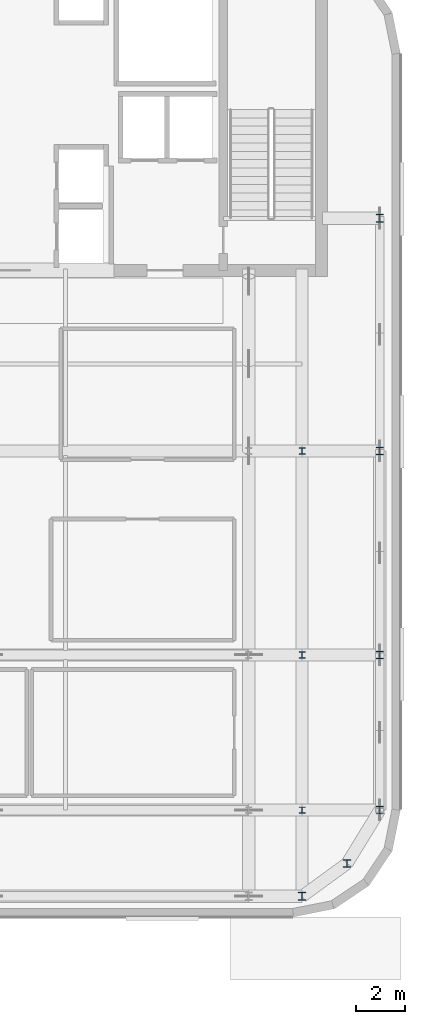
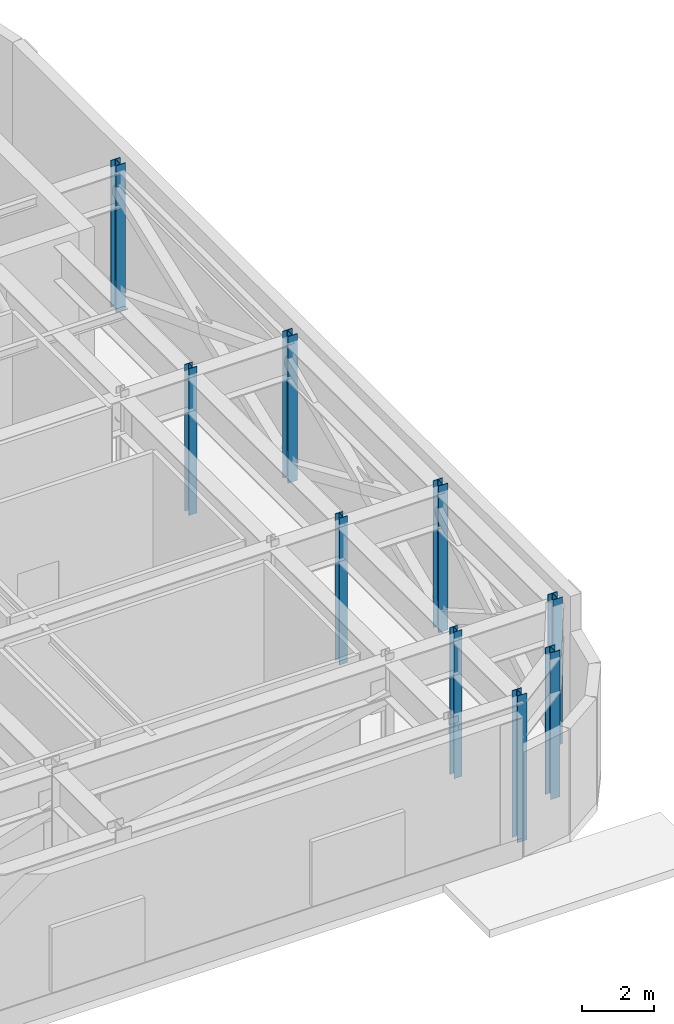
# One storey, part 3 of 13: 9 columns.
"""IFC4 building model written with IfcOpenShell, lengths in metres."""

from ifc_helpers import new_model, si_unit, direction, frame, origin, origin_2d, place, context, subcontext, project, spatial, i_section, extrude, source, transform, mapped, material, material_profile, profile_set, type_object, type_shapes, element, save


model = new_model("IFC4")

# Units and contexts
model_context = context("Model", 3, precision=1e-05, world=origin(), true_north=direction((0.0, 1.0)))
body_context = subcontext(model_context, "Body", "Model", "MODEL_VIEW")
ifc_project = project(units=[si_unit("LENGTHUNIT", "METRE"), si_unit("AREAUNIT", "SQUARE_METRE"), si_unit("VOLUMEUNIT", "CUBIC_METRE"), si_unit("PLANEANGLEUNIT", "RADIAN"), si_unit("MASSUNIT", "GRAM", prefix="KILO")], contexts=[model_context])

# Site, building, storey
site_placement = place(None, origin())
site = spatial("IfcSite", under=ifc_project, at=site_placement, CompositionType="ELEMENT")
building_placement = place(site_placement, origin())
building = spatial("IfcBuilding", under=site, at=building_placement, Name="Tolvann Quenvar Hotel", CompositionType="ELEMENT")
storey_placement = place(building_placement, frame((0.0, 0.0, 270.050048828125)))
storey = spatial("IfcBuildingStorey", under=building, at=storey_placement, Name="L72", CompositionType="ELEMENT", Elevation=270.050048828125)

# Columns
ifc_material = material(Name="Steel Grade 350", Category="steel")
ifc_material_profile_1 = material_profile(ifc_material, i_section(OverallWidth=0.306884765625, OverallDepth=0.31494140625, WebThickness=0.011962890625, FlangeThickness=0.018798828125, FilletRadius=0.0166015625, at=origin_2d()), Name="310UC118")
ifc_profile_set_1 = profile_set([ifc_material_profile_1], Name="Steel Grade 350")
column_type_1 = type_object("IfcColumnType", Name="COL_310UC118", PredefinedType="COLUMN", material=ifc_profile_set_1)
shared_shape_1 = source(origin(), body_context, "Body", "SweptSolid", [
    extrude(i_section(OverallWidth=0.306884765625, OverallDepth=0.31494140625, WebThickness=0.011962890625, FlangeThickness=0.018798828125, FilletRadius=0.0166015625, at=origin_2d()), origin(), (0.0, 0.0, 1.0), 5.0),
])
type_shapes(column_type_1, [shared_shape_1])
for number, where, z_axis, x_axis, name in (
    (1, (34.949951171875, 6.050048828125, 0.0), (0.0, 0.0, 1.0), (1.0, 0.0, 0.0), "Column F2 (L72)"),
    (2, (36.800048828125, 7.39990234375, 0.0), (0.0, 0.0, 1.0), (1.0, 0.0, 0.0), "Column G2 (L72)"),
    (3, (38.14990234375, 9.60009765625, 0.0), (0.0, 0.0, 1.0), (1.0, 0.0, 0.0), "Column G3 (L72)"),
    (4, (38.14990234375, 16.0, 0.0), (0.0, 0.0, 1.0), (1.0, 0.0, 0.0), "Column G4 (L72)"),
    (5, (38.14990234375, 24.39990234375, 0.0), (0.0, 0.0, 1.0), (1.0, 0.0, 0.0), "Column G5 (L72)"),
    (6, (38.14990234375, 34.0, 0.0), (0.0, 0.0, 1.0), (1.0, 0.0, 0.0), "Column GD6 (L72)"),
):
    element("IfcColumn", number, at=place(storey_placement, frame(where, z_axis=z_axis, x_axis=x_axis)), inside=storey, type_object=column_type_1, Name=name, PredefinedType="COLUMN", context=body_context, shape_type="MappedRepresentation", body=[
        mapped(shared_shape_1, transform((0.0, 0.0, 0.0), x_axis=(1.0, 0.0, 0.0), y_axis=(0.0, 1.0, 0.0), z_axis=(0.0, 0.0, 1.0), scale=1.0)),
    ])
ifc_material_profile_2 = material_profile(ifc_material, i_section(OverallWidth=0.256103515625, OverallDepth=0.260009765625, WebThickness=0.010498046875, FlangeThickness=0.017333984375, FilletRadius=0.013916015625, at=origin_2d()), Name="250UC90")
ifc_profile_set_2 = profile_set([ifc_material_profile_2], Name="Steel Grade 350")
column_type_2 = type_object("IfcColumnType", Name="COL_250UC90", PredefinedType="COLUMN", material=ifc_profile_set_2)
shared_shape_2 = source(origin(), body_context, "Body", "SweptSolid", [
    extrude(i_section(OverallWidth=0.256103515625, OverallDepth=0.260009765625, WebThickness=0.010498046875, FlangeThickness=0.017333984375, FilletRadius=0.013916015625, at=origin_2d()), origin(), (0.0, 0.0, 1.0), 5.0),
])
type_shapes(column_type_2, [shared_shape_2])
for number, where, z_axis, x_axis, name in (
    (7, (34.949951171875, 9.60009765625, 0.0), (0.0, 0.0, 1.0), (1.0, 0.0, 0.0), "Column F3 (L72)"),
    (8, (34.949951171875, 16.0, 0.0), (0.0, 0.0, 1.0), (1.0, 0.0, 0.0), "Column F4 (L72)"),
    (9, (34.949951171875, 24.39990234375, 0.0), (0.0, 0.0, 1.0), (1.0, 0.0, 0.0), "Column F5 (L72)"),
):
    element("IfcColumn", number, at=place(storey_placement, frame(where, z_axis=z_axis, x_axis=x_axis)), inside=storey, type_object=column_type_2, Name=name, PredefinedType="COLUMN", context=body_context, shape_type="MappedRepresentation", body=[
        mapped(shared_shape_2, transform((0.0, 0.0, 0.0), x_axis=(1.0, 0.0, 0.0), y_axis=(0.0, 1.0, 0.0), z_axis=(0.0, 0.0, 1.0), scale=1.0)),
    ])

save(model, "model.ifc")
